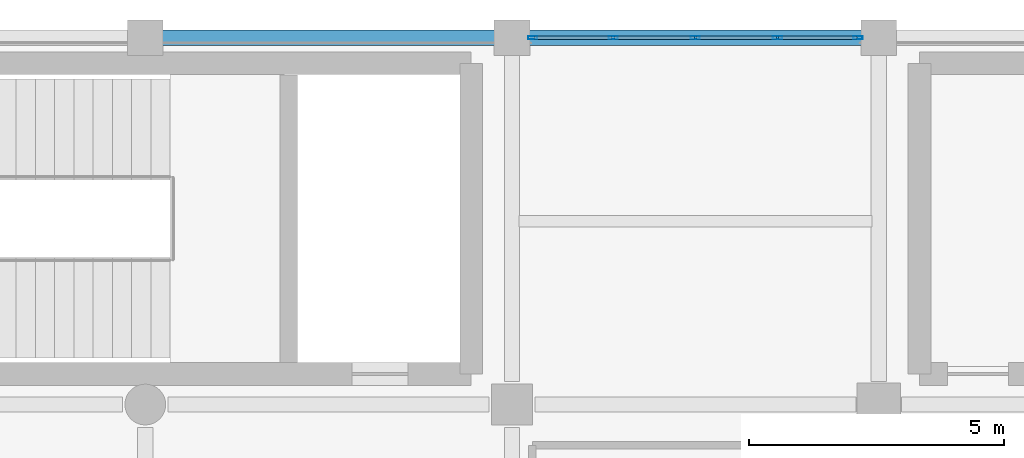
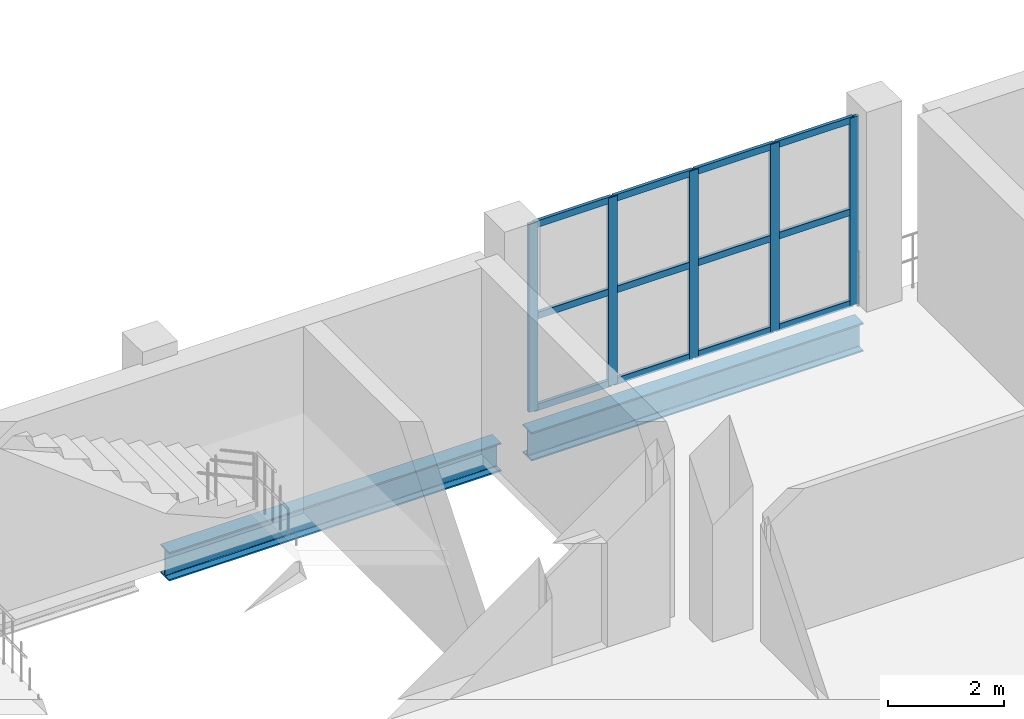
# One storey, part 112 of 153: 17 members, 2 beams, 1 element without a shape of its own.
"""IFC4 building model written with IfcOpenShell, lengths in metres."""

from ifc_helpers import new_model, si_unit, direction, frame, origin, origin_2d, place, context, subcontext, project, spatial, hollow_rectangle, i_section, extrude, material, material_profile, profile_set, type_object, element, aggregate, save


model = new_model("IFC4")

# Units and contexts
model_context = context("Model", 3, precision=1e-05, world=origin(), true_north=direction((0.0, 1.0)))
body_context = subcontext(model_context, "Body", "Model", "MODEL_VIEW")
ifc_project = project(units=[si_unit("LENGTHUNIT", "METRE"), si_unit("AREAUNIT", "SQUARE_METRE"), si_unit("VOLUMEUNIT", "CUBIC_METRE"), si_unit("PLANEANGLEUNIT", "RADIAN"), si_unit("MASSUNIT", "GRAM", prefix="KILO")], contexts=[model_context])

# Site, building, storey
site_placement = place(None, origin())
site = spatial("IfcSite", under=ifc_project, at=site_placement, CompositionType="ELEMENT")
building_placement = place(site_placement, origin())
building = spatial("IfcBuilding", under=site, at=building_placement, Name="Qandorah Velis Arena", CompositionType="ELEMENT")
storey_placement = place(building_placement, frame((0.0, 0.0, 5.39990234375)))
storey = spatial("IfcBuildingStorey", under=building, at=storey_placement, Name="L01", CompositionType="ELEMENT", Elevation=5.39990234375)

# Curtain wall, members
ifc_material_1 = material(Name="Solar-control low-E double glazing", Category="glass")
curtain_wall_type = type_object("IfcCurtainWallType", Name="ARC-CW-SYS10", PredefinedType="USERDEFINED", material=ifc_material_1)
curtain_wall_placement = place(storey_placement, origin())
curtain_wall = element("IfcCurtainWall", 1, at=curtain_wall_placement, inside=storey, type_object=curtain_wall_type, Name="Unitised curtain wall L01-082", ObjectType="UNITISED CURTAIN WALL", PredefinedType="USERDEFINED")
ifc_material_2 = material(Name="Champagne-bronze anodized aluminium 6063-T6", Category="aluminium")
ifc_material_profile_1 = material_profile(ifc_material_2, hollow_rectangle(XDim=0.06494140625, YDim=0.179931640625, WallThickness=0.00341796875, at=origin_2d()), Name="ALU MULLION 65x180")
ifc_profile_set_1 = profile_set([ifc_material_profile_1], Name="Champagne-bronze anodized aluminium 6063-T6")
member_type_1 = type_object("IfcMemberType", Name="ARC-CWM-180", PredefinedType="MULLION", material=ifc_profile_set_1)
member_1_placement = place(storey_placement, frame((43.607421875, 129.60009765625, -0.014892578125), z_axis=(0.0, 0.0, 1.0), x_axis=(0.0, 1.0, 0.0)))
member_1 = element("IfcMember", 2, at=member_1_placement, type_object=member_type_1, Name="CW10 mullion 1", PredefinedType="MULLION", context=body_context, shape_type="SweptSolid", body=[
    extrude(hollow_rectangle(XDim=0.06494140625, YDim=0.179931640625, WallThickness=0.00341796875, at=origin_2d()), origin(), (0.0, 0.0, 1.0), 3.949951171875),
])
member_2_placement = place(storey_placement, frame((45.1875, 129.60009765625, -0.014892578125), z_axis=(0.0, 0.0, 1.0), x_axis=(0.0, 1.0, 0.0)))
member_2 = element("IfcMember", 3, at=member_2_placement, type_object=member_type_1, Name="CW10 mullion 2", PredefinedType="MULLION", context=body_context, shape_type="SweptSolid", body=[
    extrude(hollow_rectangle(XDim=0.06494140625, YDim=0.179931640625, WallThickness=0.00341796875, at=origin_2d()), origin(), (0.0, 0.0, 1.0), 3.949951171875),
])
member_3_placement = place(storey_placement, frame((46.800048828125, 129.60009765625, -0.014892578125), z_axis=(0.0, 0.0, 1.0), x_axis=(0.0, 1.0, 0.0)))
member_3 = element("IfcMember", 4, at=member_3_placement, type_object=member_type_1, Name="CW10 mullion 3", PredefinedType="MULLION", context=body_context, shape_type="SweptSolid", body=[
    extrude(hollow_rectangle(XDim=0.06494140625, YDim=0.179931640625, WallThickness=0.00341796875, at=origin_2d()), origin(), (0.0, 0.0, 1.0), 3.949951171875),
])
member_4_placement = place(storey_placement, frame((48.41259765625, 129.60009765625, -0.014892578125), z_axis=(0.0, 0.0, 1.0), x_axis=(0.0, 1.0, 0.0)))
member_4 = element("IfcMember", 5, at=member_4_placement, type_object=member_type_1, Name="CW10 mullion 4", PredefinedType="MULLION", context=body_context, shape_type="SweptSolid", body=[
    extrude(hollow_rectangle(XDim=0.06494140625, YDim=0.179931640625, WallThickness=0.00341796875, at=origin_2d()), origin(), (0.0, 0.0, 1.0), 3.949951171875),
])
member_5_placement = place(storey_placement, frame((49.992431640625, 129.60009765625, -0.014892578125), z_axis=(0.0, 0.0, 1.0), x_axis=(0.0, 1.0, 0.0)))
member_5 = element("IfcMember", 6, at=member_5_placement, type_object=member_type_1, Name="CW10 mullion 5", PredefinedType="MULLION", context=body_context, shape_type="SweptSolid", body=[
    extrude(hollow_rectangle(XDim=0.06494140625, YDim=0.179931640625, WallThickness=0.00341796875, at=origin_2d()), origin(), (0.0, 0.0, 1.0), 3.949951171875),
])
ifc_material_profile_2 = material_profile(ifc_material_2, hollow_rectangle(XDim=0.06494140625, YDim=0.139892578125, WallThickness=0.0029296875, at=origin_2d()), Name="ALU TRANSOM 65x140")
ifc_profile_set_2 = profile_set([ifc_material_profile_2], Name="Champagne-bronze anodized aluminium 6063-T6")
member_type_2 = type_object("IfcMemberType", Name="ARC-CWT-140", PredefinedType="USERDEFINED", material=ifc_profile_set_2)
member_6_placement = place(storey_placement, frame((43.6279296875, 129.60009765625, 0.03271484375), z_axis=(1.0, 0.0, 0.0), x_axis=(0.0, 1.0, 0.0)))
member_6 = element("IfcMember", 7, at=member_6_placement, type_object=member_type_2, Name="CW10 transom 1.1", ObjectType="TRANSOM", PredefinedType="USERDEFINED", context=body_context, shape_type="SweptSolid", body=[
    extrude(hollow_rectangle(XDim=0.06494140625, YDim=0.139892578125, WallThickness=0.0029296875, at=origin_2d()), origin(), (0.0, 0.0, 1.0), 1.5390625),
])
member_7_placement = place(storey_placement, frame((43.6279296875, 129.60009765625, 1.960205078125), z_axis=(1.0, 0.0, 0.0), x_axis=(0.0, 1.0, 0.0)))
member_7 = element("IfcMember", 8, at=member_7_placement, type_object=member_type_2, Name="CW10 transom 1.2", ObjectType="TRANSOM", PredefinedType="USERDEFINED", context=body_context, shape_type="SweptSolid", body=[
    extrude(hollow_rectangle(XDim=0.06494140625, YDim=0.139892578125, WallThickness=0.0029296875, at=origin_2d()), origin(), (0.0, 0.0, 1.0), 1.5390625),
])
member_8_placement = place(storey_placement, frame((43.6279296875, 129.60009765625, 3.8876953125), z_axis=(1.0, 0.0, 0.0), x_axis=(0.0, 1.0, 0.0)))
member_8 = element("IfcMember", 9, at=member_8_placement, type_object=member_type_2, Name="CW10 transom 1.3", ObjectType="TRANSOM", PredefinedType="USERDEFINED", context=body_context, shape_type="SweptSolid", body=[
    extrude(hollow_rectangle(XDim=0.06494140625, YDim=0.139892578125, WallThickness=0.0029296875, at=origin_2d()), origin(), (0.0, 0.0, 1.0), 1.5390625),
])
member_9_placement = place(storey_placement, frame((45.2080078125, 129.60009765625, 0.03271484375), z_axis=(1.0, 0.0, 0.0), x_axis=(0.0, 1.0, 0.0)))
member_9 = element("IfcMember", 10, at=member_9_placement, type_object=member_type_2, Name="CW10 transom 2.1", ObjectType="TRANSOM", PredefinedType="USERDEFINED", context=body_context, shape_type="SweptSolid", body=[
    extrude(hollow_rectangle(XDim=0.06494140625, YDim=0.139892578125, WallThickness=0.0029296875, at=origin_2d()), origin(), (0.0, 0.0, 1.0), 1.571533203125),
])
member_10_placement = place(storey_placement, frame((45.2080078125, 129.60009765625, 1.960205078125), z_axis=(1.0, 0.0, 0.0), x_axis=(0.0, 1.0, 0.0)))
member_10 = element("IfcMember", 11, at=member_10_placement, type_object=member_type_2, Name="CW10 transom 2.2", ObjectType="TRANSOM", PredefinedType="USERDEFINED", context=body_context, shape_type="SweptSolid", body=[
    extrude(hollow_rectangle(XDim=0.06494140625, YDim=0.139892578125, WallThickness=0.0029296875, at=origin_2d()), origin(), (0.0, 0.0, 1.0), 1.571533203125),
])
member_11_placement = place(storey_placement, frame((45.2080078125, 129.60009765625, 3.8876953125), z_axis=(1.0, 0.0, 0.0), x_axis=(0.0, 1.0, 0.0)))
member_11 = element("IfcMember", 12, at=member_11_placement, type_object=member_type_2, Name="CW10 transom 2.3", ObjectType="TRANSOM", PredefinedType="USERDEFINED", context=body_context, shape_type="SweptSolid", body=[
    extrude(hollow_rectangle(XDim=0.06494140625, YDim=0.139892578125, WallThickness=0.0029296875, at=origin_2d()), origin(), (0.0, 0.0, 1.0), 1.571533203125),
])
member_12_placement = place(storey_placement, frame((46.820556640625, 129.60009765625, 0.03271484375), z_axis=(1.0, 0.0, 0.0), x_axis=(0.0, 1.0, 0.0)))
member_12 = element("IfcMember", 13, at=member_12_placement, type_object=member_type_2, Name="CW10 transom 3.1", ObjectType="TRANSOM", PredefinedType="USERDEFINED", context=body_context, shape_type="SweptSolid", body=[
    extrude(hollow_rectangle(XDim=0.06494140625, YDim=0.139892578125, WallThickness=0.0029296875, at=origin_2d()), origin(), (0.0, 0.0, 1.0), 1.571533203125),
])
member_13_placement = place(storey_placement, frame((46.820556640625, 129.60009765625, 1.960205078125), z_axis=(1.0, 0.0, 0.0), x_axis=(0.0, 1.0, 0.0)))
member_13 = element("IfcMember", 14, at=member_13_placement, type_object=member_type_2, Name="CW10 transom 3.2", ObjectType="TRANSOM", PredefinedType="USERDEFINED", context=body_context, shape_type="SweptSolid", body=[
    extrude(hollow_rectangle(XDim=0.06494140625, YDim=0.139892578125, WallThickness=0.0029296875, at=origin_2d()), origin(), (0.0, 0.0, 1.0), 1.571533203125),
])
member_14_placement = place(storey_placement, frame((46.820556640625, 129.60009765625, 3.8876953125), z_axis=(1.0, 0.0, 0.0), x_axis=(0.0, 1.0, 0.0)))
member_14 = element("IfcMember", 15, at=member_14_placement, type_object=member_type_2, Name="CW10 transom 3.3", ObjectType="TRANSOM", PredefinedType="USERDEFINED", context=body_context, shape_type="SweptSolid", body=[
    extrude(hollow_rectangle(XDim=0.06494140625, YDim=0.139892578125, WallThickness=0.0029296875, at=origin_2d()), origin(), (0.0, 0.0, 1.0), 1.571533203125),
])
member_15_placement = place(storey_placement, frame((48.43310546875, 129.60009765625, 0.03271484375), z_axis=(1.0, 0.0, 0.0), x_axis=(0.0, 1.0, 0.0)))
member_15 = element("IfcMember", 16, at=member_15_placement, type_object=member_type_2, Name="CW10 transom 4.1", ObjectType="TRANSOM", PredefinedType="USERDEFINED", context=body_context, shape_type="SweptSolid", body=[
    extrude(hollow_rectangle(XDim=0.06494140625, YDim=0.139892578125, WallThickness=0.0029296875, at=origin_2d()), origin(), (0.0, 0.0, 1.0), 1.538818359375),
])
member_16_placement = place(storey_placement, frame((48.43310546875, 129.60009765625, 1.960205078125), z_axis=(1.0, 0.0, 0.0), x_axis=(0.0, 1.0, 0.0)))
member_16 = element("IfcMember", 17, at=member_16_placement, type_object=member_type_2, Name="CW10 transom 4.2", ObjectType="TRANSOM", PredefinedType="USERDEFINED", context=body_context, shape_type="SweptSolid", body=[
    extrude(hollow_rectangle(XDim=0.06494140625, YDim=0.139892578125, WallThickness=0.0029296875, at=origin_2d()), origin(), (0.0, 0.0, 1.0), 1.538818359375),
])
member_17_placement = place(storey_placement, frame((48.43310546875, 129.60009765625, 3.8876953125), z_axis=(1.0, 0.0, 0.0), x_axis=(0.0, 1.0, 0.0)))
member_17 = element("IfcMember", 18, at=member_17_placement, type_object=member_type_2, Name="CW10 transom 4.3", ObjectType="TRANSOM", PredefinedType="USERDEFINED", context=body_context, shape_type="SweptSolid", body=[
    extrude(hollow_rectangle(XDim=0.06494140625, YDim=0.139892578125, WallThickness=0.0029296875, at=origin_2d()), origin(), (0.0, 0.0, 1.0), 1.538818359375),
])
aggregate(curtain_wall, [member_1, member_2, member_3, member_4, member_5, member_6, member_7, member_8, member_9, member_10, member_11, member_12, member_13, member_14, member_15, member_16, member_17])

# Beams
ifc_material_3 = material(Name="Steel S355", Category="steel")
ifc_material_profile_3 = material_profile(ifc_material_3, i_section(OverallWidth=0.300048828125, OverallDepth=0.60009765625, WebThickness=0.015380859375, FlangeThickness=0.030029296875, FilletRadius=0.027099609375, at=origin_2d()), Name="HEB 600")
ifc_profile_set_3 = profile_set([ifc_material_profile_3], Name="Steel S355")
beam_type = type_object("IfcBeamType", Name="STR-BM-HEB600", PredefinedType="BEAM", material=ifc_profile_set_3)
beam_1_placement = place(storey_placement, frame((36.300048828125, 129.60009765625, -0.659912109375), z_axis=(1.0, 0.0, 0.0), x_axis=(0.0, 1.0, 0.0)))
element("IfcBeam", 19, at=beam_1_placement, inside=storey, type_object=beam_type, Name="Primary floor girder L01 X-209", PredefinedType="BEAM", context=body_context, shape_type="SweptSolid", body=[
    extrude(i_section(OverallWidth=0.300048828125, OverallDepth=0.60009765625, WebThickness=0.015380859375, FlangeThickness=0.030029296875, FilletRadius=0.027099609375, at=origin_2d()), origin(), (0.0, 0.0, 1.0), 6.599853515625),
])
beam_2_placement = place(storey_placement, frame((43.5, 129.60009765625, -0.659912109375), z_axis=(1.0, 0.0, 0.0), x_axis=(0.0, 1.0, 0.0)))
element("IfcBeam", 20, at=beam_2_placement, inside=storey, type_object=beam_type, Name="Primary floor girder L01 X-210", PredefinedType="BEAM", context=body_context, shape_type="SweptSolid", body=[
    extrude(i_section(OverallWidth=0.300048828125, OverallDepth=0.60009765625, WebThickness=0.015380859375, FlangeThickness=0.030029296875, FilletRadius=0.027099609375, at=origin_2d()), origin(), (0.0, 0.0, 1.0), 6.60009765625),
])

save(model, "model.ifc")
